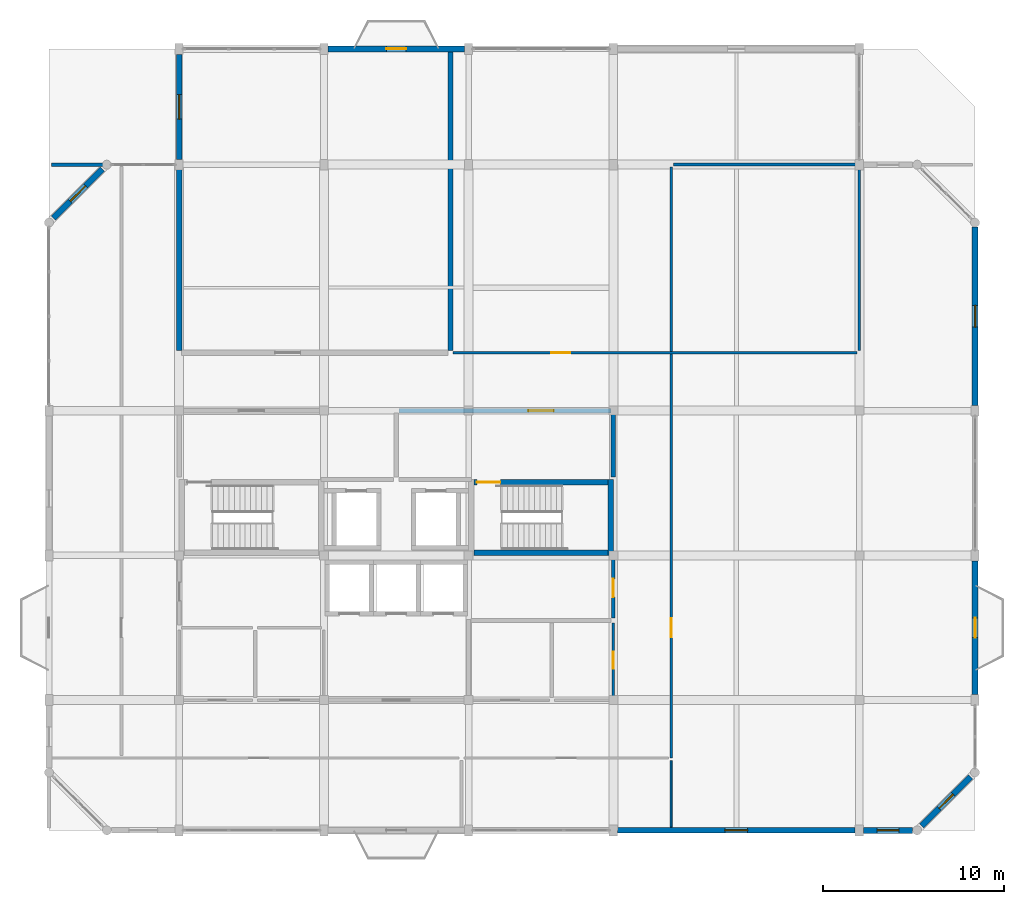
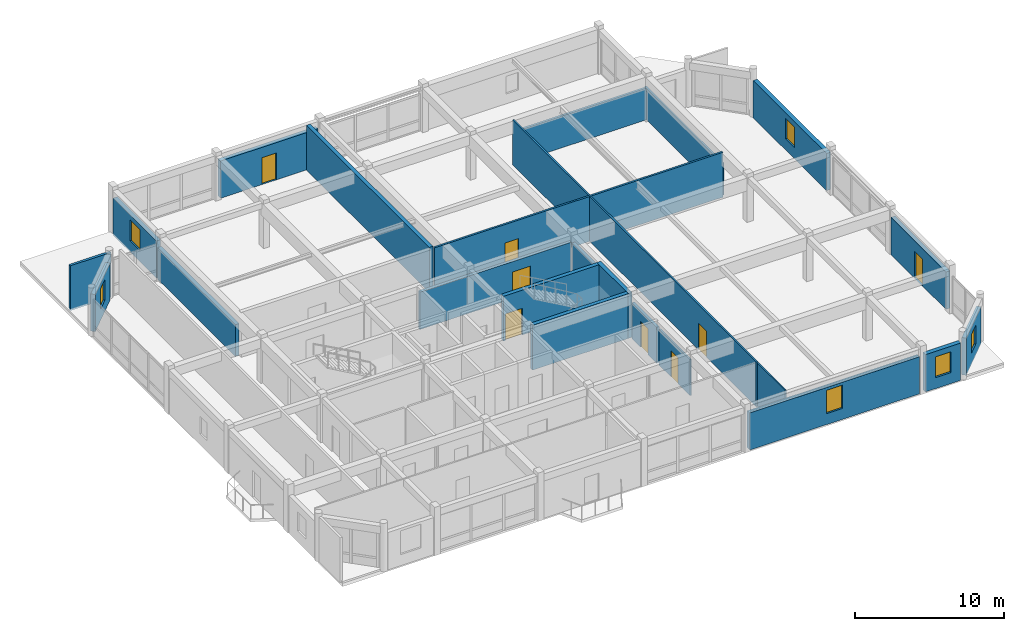
# One storey, part 10 of 12: 23 walls, 8 doors, 6 windows, 14 openings.
"""IFC4 building model written with IfcOpenShell, lengths in metres."""

from ifc_helpers import new_model, si_unit, direction, frame, frame_2d, origin, place, context, subcontext, project, spatial, rectangle, extrude, material, layer, layer_set, type_object, element, fill, save


model = new_model("IFC4")

# Units and contexts
model_context = context("Model", 3, precision=1e-05, world=origin(), true_north=direction((0.0, 1.0)))
body_context = subcontext(model_context, "Body", "Model", "MODEL_VIEW")
ifc_project = project(units=[si_unit("LENGTHUNIT", "METRE"), si_unit("AREAUNIT", "SQUARE_METRE"), si_unit("VOLUMEUNIT", "CUBIC_METRE"), si_unit("PLANEANGLEUNIT", "RADIAN"), si_unit("MASSUNIT", "GRAM", prefix="KILO")], contexts=[model_context])

# Site, building, storey
site_placement = place(None, origin())
site = spatial("IfcSite", under=ifc_project, at=site_placement, CompositionType="ELEMENT")
building_placement = place(site_placement, origin())
building = spatial("IfcBuilding", under=site, at=building_placement, Name="Vellmiral Cinema and Media Centre", CompositionType="ELEMENT")
storey_placement = place(building_placement, frame((0.0, 0.0, 62.64990234375)))
storey = spatial("IfcBuildingStorey", under=building, at=storey_placement, Name="L15", CompositionType="ELEMENT", Elevation=62.64990234375)

# Walls
ifc_material_1 = material(Name="Calcium-Silicate Masonry Blockwork", Category="masonry")
ifc_layer_1 = layer(ifc_material_1, 0.10009765625, Name="Calcium-Silicate Masonry Blockwork", Category="masonry")
ifc_material_2 = material(Name="Mineral Wool Acoustic Insulation", Category="insulation")
ifc_layer_2 = layer(ifc_material_2, 0.090087890625, Name="Mineral Wool Acoustic Insulation", Category="insulation")
ifc_layer_3 = layer(ifc_material_1, 0.10009765625, Name="Calcium-Silicate Masonry Blockwork", Category="masonry")
ifc_layer_set_1 = layer_set([ifc_layer_1, ifc_layer_2, ifc_layer_3], Name="Calcium-Silicate Masonry Blockwork")
wall_type_1 = type_object("IfcWallType", Name="WL-AC-290", PredefinedType="SOLIDWALL", material=ifc_layer_set_1)
wall_1_placement = place(storey_placement, frame((124.0, 98.5400390625, 0.0), z_axis=(0.0, 0.0, 1.0), x_axis=(0.0, 1.0, 0.0)))
element("IfcWall", 1, at=wall_1_placement, inside=storey, type_object=wall_type_1, Name="Executive Documentary Screening Room Wall W", PredefinedType="SOLIDWALL", context=body_context, shape_type="SweptSolid", body=[
    extrude(rectangle(XDim=10.419921875, YDim=0.2900390625, at=frame_2d((5.2099609375, 0.0))), origin(), (0.0, 0.0, 1.0), 2.59521484375),
])
wall_2_placement = place(storey_placement, frame((139.0, 98.5400390625, 0.0), z_axis=(0.0, 0.0, 1.0), x_axis=(0.0, 1.0, 0.0)))
element("IfcWall", 2, at=wall_2_placement, inside=storey, type_object=wall_type_1, Name="Executive Documentary Screening Room Wall E", PredefinedType="SOLIDWALL", context=body_context, shape_type="SweptSolid", body=[
    extrude(rectangle(XDim=16.48486328125, YDim=0.2900390625, at=frame_2d((8.242431640625, 0.0))), origin(), (0.0, 0.0, 1.0), 3.670166015625),
])

# Wall, opening, door
ifc_material_3 = material(Name="Concrete C40/50", Category="concrete")
ifc_layer_4 = layer(ifc_material_3, 0.2099609375, Name="Concrete C40/50")
ifc_layer_set_2 = layer_set([ifc_layer_4], Name="Concrete C40/50")
wall_type_2 = type_object("IfcWallType", Name="WL-COMP-210", PredefinedType="SOLIDWALL", material=ifc_layer_set_2)
wall_3_placement = place(storey_placement, frame((148.0, 83.739990234375, 0.0), z_axis=(0.0, 0.0, 1.0), x_axis=(0.0, 1.0, 0.0)))
wall_3 = element("IfcWall", 3, at=wall_3_placement, inside=storey, type_object=wall_type_2, Name="Mechanical Riser and Duct Room Wall E", PredefinedType="SOLIDWALL", context=body_context, shape_type="SweptSolid", body=[
    extrude(rectangle(XDim=3.320068359375, YDim=0.2099609375, at=frame_2d((1.66015625, 0.0))), origin(), (0.0, 0.0, 1.0), 2.945068359375),
])
opening_1_placement = place(wall_3_placement, frame((1.159912109375, 0.0, 0.0)))
opening_1 = element("IfcOpeningElement", 4, at=opening_1_placement, cuts=wall_3, Name="Opening D-FD30B", PredefinedType="OPENING", context=body_context, shape_type="SweptSolid", body=[
    extrude(rectangle(XDim=1.0, YDim=2.14990234375, at=frame_2d((0.5, 1.074951171875))), frame((0.0, 0.116943359375, 0.0), z_axis=(0.0, -1.0, 0.0), x_axis=(1.0, 0.0, 0.0)), (0.0, 0.0, 1.0), 0.23388671875),
])
ifc_material_4 = material(Name="Steel Riser Fire Door", Category="steel")
door_type_1 = type_object("IfcDoorType", Name="DR-FD30-1000x2150", OperationType="NOTDEFINED", PredefinedType="DOOR", material=ifc_material_4)
door_1_placement = place(opening_1_placement, origin())
door_1 = element("IfcDoor", 5, at=door_1_placement, inside=storey, type_object=door_type_1, Name="Mechanical Riser and Duct Room Door", OperationType="SINGLE_SWING_LEFT", OverallHeight=2.14990234375, OverallWidth=1.0, PredefinedType="DOOR", context=body_context, shape_type="SweptSolid", body=[
    extrude(rectangle(XDim=1.0, YDim=2.14990234375, at=frame_2d((0.5, 1.074951171875))), frame((0.0, 0.02490234375, 0.0), z_axis=(0.0, -1.0, 0.0), x_axis=(1.0, 0.0, 0.0)), (0.0, 0.0, 1.0), 0.050048828125),
])
fill(opening_1, door_1)

# Walls
ifc_material_5 = material(Name="Concrete C40/50", Category="concrete")
ifc_layer_5 = layer(ifc_material_5, 0.300048828125, Name="Concrete C40/50")
ifc_layer_set_3 = layer_set([ifc_layer_5], Name="Concrete C40/50")
wall_type_3 = type_object("IfcWallType", Name="WL-CORE-300", PredefinedType="SHEAR", material=ifc_layer_set_3)
wall_4_placement = place(storey_placement, frame((147.85009765625, 87.199951171875, 0.0), z_axis=(0.0, 0.0, 1.0), x_axis=(0.0, 1.0, 0.0)))
element("IfcWall", 6, at=wall_4_placement, inside=storey, type_object=wall_type_3, Name="Stair Core Wall ST-T2 L15-E", PredefinedType="SHEAR", context=body_context, shape_type="SweptSolid", body=[
    extrude(rectangle(XDim=4.199951171875, YDim=0.300048828125, at=frame_2d((2.10009765625, 0.0))), origin(), (0.0, 0.0, 1.0), 3.670166015625),
])
wall_5_placement = place(storey_placement, frame((140.300048828125, 87.35009765625, 0.0), z_axis=(0.0, 0.0, 1.0), x_axis=(1.0, 0.0, 0.0)))
element("IfcWall", 7, at=wall_5_placement, inside=storey, type_object=wall_type_3, Name="Stair Core Wall ST-T2 L15-S", PredefinedType="SHEAR", context=body_context, shape_type="SweptSolid", body=[
    extrude(rectangle(XDim=7.39990234375, YDim=0.300048828125, at=frame_2d((3.699951171875, 0.0))), origin(), (0.0, 0.0, 1.0), 3.670166015625),
])

# Wall, opening, door
wall_6_placement = place(storey_placement, frame((140.300048828125, 91.25, 0.0), z_axis=(0.0, 0.0, 1.0), x_axis=(1.0, 0.0, 0.0)))
wall_6 = element("IfcWall", 8, at=wall_6_placement, inside=storey, type_object=wall_type_3, Name="Stair Core Wall ST-T2 L15-N", PredefinedType="SHEAR", context=body_context, shape_type="SweptSolid", body=[
    extrude(rectangle(XDim=7.39990234375, YDim=0.300048828125, at=frame_2d((3.699951171875, 0.0))), origin(), (0.0, 0.0, 1.0), 3.670166015625),
])
opening_2_placement = place(wall_6_placement, frame((0.159912109375, 0.0, 0.0)))
opening_2 = element("IfcOpeningElement", 9, at=opening_2_placement, cuts=wall_6, Name="Opening D-FD30A", PredefinedType="OPENING", context=body_context, shape_type="SweptSolid", body=[
    extrude(rectangle(XDim=1.300048828125, YDim=2.179931640625, at=frame_2d((0.64990234375, 1.08984375))), frame((0.0, 0.162109375, 0.0), z_axis=(0.0, -1.0, 0.0), x_axis=(1.0, 0.0, 0.0)), (0.0, 0.0, 1.0), 0.323974609375),
])
ifc_material_6 = material(Name="Steel Stair Fire Door", Category="steel")
door_type_2 = type_object("IfcDoorType", Name="DR-FD30-1300x2180", OperationType="NOTDEFINED", PredefinedType="DOOR", material=ifc_material_6)
door_2_placement = place(opening_2_placement, frame((1.300048828125, 0.0, 0.0), z_axis=(0.0, 0.0, 1.0), x_axis=(-1.0, 0.0, 0.0)))
door_2 = element("IfcDoor", 10, at=door_2_placement, inside=storey, type_object=door_type_2, Name="Protected Stair Door ST-T2 L15", OperationType="SINGLE_SWING_RIGHT", OverallHeight=2.179931640625, OverallWidth=1.300048828125, PredefinedType="DOOR", context=body_context, shape_type="SweptSolid", body=[
    extrude(rectangle(XDim=1.300048828125, YDim=2.179931640625, at=frame_2d((0.64990234375, 1.08984375))), frame((0.0, 0.02490234375, 0.0), z_axis=(0.0, -1.0, 0.0), x_axis=(1.0, 0.0, 0.0)), (0.0, 0.0, 1.0), 0.050048828125),
])
fill(opening_2, door_2)

# Wall, opening, window
ifc_material_7 = material(Name="Polychrome Glazed Ceramic Cladding", Category="masonry")
ifc_layer_6 = layer(ifc_material_7, 0.320068359375, Name="Polychrome Glazed Ceramic Cladding")
ifc_layer_set_4 = layer_set([ifc_layer_6], Name="Polychrome Glazed Ceramic Cladding")
wall_type_4 = type_object("IfcWallType", Name="WL-EXT-BRICK-320", PredefinedType="SOLIDWALL", material=ifc_layer_set_4)
wall_7_placement = place(storey_placement, frame((148.22509765625, 72.0, 0.0), z_axis=(0.0, 0.0, 1.0), x_axis=(1.0, 0.0, 0.0)))
wall_7 = element("IfcWall", 11, at=wall_7_placement, inside=storey, type_object=wall_type_4, Name="Exterior Facade Wall L15-005", PredefinedType="SOLIDWALL", context=body_context, shape_type="SweptSolid", body=[
    extrude(rectangle(XDim=13.14990234375, YDim=0.320068359375, at=frame_2d((6.574951171875, 0.0))), origin(), (0.0, 0.0, 1.0), 3.03515625),
])
opening_3_placement = place(wall_7_placement, frame((5.949951171875, 0.0, 0.89990234375)))
opening_3 = element("IfcOpeningElement", 12, at=opening_3_placement, cuts=wall_7, Name="Opening WN-09", PredefinedType="OPENING", context=body_context, shape_type="SweptSolid", body=[
    extrude(rectangle(XDim=1.25, YDim=1.89990234375, at=frame_2d((0.625, 0.949951171875))), frame((0.0, 0.171875, 0.0), z_axis=(0.0, -1.0, 0.0), x_axis=(1.0, 0.0, 0.0)), (0.0, 0.0, 1.0), 0.343994140625),
])
ifc_material_8 = material(Name="Thermally Broken Aluminium Triple Glazing", Category="aluminium")
window_type_1 = type_object("IfcWindowType", Name="WN-1250x1900", PartitioningType="SINGLE_PANEL", PredefinedType="WINDOW", material=ifc_material_8)
window_1_placement = place(opening_3_placement, origin())
window_1 = element("IfcWindow", 13, at=window_1_placement, inside=storey, type_object=window_type_1, Name="Window L15-005", OverallHeight=1.89990234375, OverallWidth=1.25, PartitioningType="SINGLE_PANEL", PredefinedType="WINDOW", context=body_context, shape_type="SweptSolid", body=[
    extrude(rectangle(XDim=1.25, YDim=1.89990234375, at=frame_2d((0.625, 0.949951171875))), frame((0.0, 0.030029296875, 0.0), z_axis=(0.0, -1.0, 0.0), x_axis=(1.0, 0.0, 0.0)), (0.0, 0.0, 1.0), 0.06005859375),
])
fill(opening_3, window_1)

wall_8_placement = place(storey_placement, frame((165.050048828125, 72.25, 0.0), z_axis=(0.0, 0.0, 1.0), x_axis=(0.707106781187, 0.707106781187, 0.0)))
wall_8 = element("IfcWall", 14, at=wall_8_placement, inside=storey, type_object=wall_type_4, Name="Exterior Facade Wall L15-007", PredefinedType="SOLIDWALL", context=body_context, shape_type="SweptSolid", body=[
    extrude(rectangle(XDim=3.818359375, YDim=0.320068359375, at=frame_2d((1.9091796875, 0.0))), origin(), (0.0, 0.0, 1.0), 3.045166015625),
])
opening_4_placement = place(wall_8_placement, frame((1.359130859375, 0.0, 0.89990234375)))
opening_4 = element("IfcOpeningElement", 15, at=opening_4_placement, cuts=wall_8, Name="Opening WN-11", PredefinedType="OPENING", context=body_context, shape_type="SweptSolid", body=[
    extrude(rectangle(XDim=1.10009765625, YDim=1.550048828125, at=frame_2d((0.550048828125, 0.77490234375))), frame((0.0, 0.171875, 0.0), z_axis=(0.0, -1.0, 0.0), x_axis=(1.0, 0.0, 0.0)), (0.0, 0.0, 1.0), 0.343994140625),
])
ifc_material_9 = material(Name="Thermally Broken Aluminium Triple Glazing", Category="aluminium")
window_type_2 = type_object("IfcWindowType", Name="WN-1100x1550", PartitioningType="SINGLE_PANEL", PredefinedType="WINDOW", material=ifc_material_9)
window_2_placement = place(opening_4_placement, origin())
window_2 = element("IfcWindow", 16, at=window_2_placement, inside=storey, type_object=window_type_2, Name="Window L15-007", OverallHeight=1.550048828125, OverallWidth=1.10009765625, PartitioningType="SINGLE_PANEL", PredefinedType="WINDOW", context=body_context, shape_type="SweptSolid", body=[
    extrude(rectangle(XDim=1.10009765625, YDim=1.550048828125, at=frame_2d((0.550048828125, 0.77490234375))), frame((0.0, 0.030029296875, 0.0), z_axis=(0.0, -1.0, 0.0), x_axis=(1.0, 0.0, 0.0)), (0.0, 0.0, 1.0), 0.06005859375),
])
fill(opening_4, window_2)

# Wall, opening, door
wall_9_placement = place(storey_placement, frame((168.0, 79.5, 0.0), z_axis=(0.0, 0.0, 1.0), x_axis=(0.0, 1.0, 0.0)))
wall_9 = element("IfcWall", 17, at=wall_9_placement, inside=storey, type_object=wall_type_4, Name="Exterior Facade Wall L15-009", PredefinedType="SOLIDWALL", context=body_context, shape_type="SweptSolid", body=[
    extrude(rectangle(XDim=7.39990234375, YDim=0.320068359375, at=frame_2d((3.699951171875, 0.0))), origin(), (0.0, 0.0, 1.0), 3.050048828125),
])
opening_5_placement = place(wall_9_placement, frame((3.14990234375, 0.0, 0.0)))
opening_5 = element("IfcOpeningElement", 18, at=opening_5_placement, cuts=wall_9, Name="Opening DE-06", PredefinedType="OPENING", context=body_context, shape_type="SweptSolid", body=[
    extrude(rectangle(XDim=1.10009765625, YDim=2.199951171875, at=frame_2d((0.550048828125, 1.10009765625))), frame((0.0, 0.171875, 0.0), z_axis=(0.0, -1.0, 0.0), x_axis=(1.0, 0.0, 0.0)), (0.0, 0.0, 1.0), 0.343994140625),
])
ifc_material_10 = material(Name="Thermally Broken Glazed Aluminium and Bronze Door", Category="aluminium")
door_type_3 = type_object("IfcDoorType", Name="DR-MIRA-1100x2200", OperationType="NOTDEFINED", PredefinedType="DOOR", material=ifc_material_10)
door_3_placement = place(opening_5_placement, frame((1.10009765625, 0.0, 0.0), z_axis=(0.0, 0.0, 1.0), x_axis=(-1.0, 0.0, 0.0)))
door_3 = element("IfcDoor", 19, at=door_3_placement, inside=storey, type_object=door_type_3, Name="Mirador Balcony Door L15-E", OperationType="SINGLE_SWING_LEFT", OverallHeight=2.199951171875, OverallWidth=1.10009765625, PredefinedType="DOOR", context=body_context, shape_type="SweptSolid", body=[
    extrude(rectangle(XDim=1.10009765625, YDim=2.199951171875, at=frame_2d((0.550048828125, 1.10009765625))), frame((0.0, 0.02490234375, 0.0), z_axis=(0.0, -1.0, 0.0), x_axis=(1.0, 0.0, 0.0)), (0.0, 0.0, 1.0), 0.050048828125),
])
fill(opening_5, door_3)

# Wall, opening, window
wall_10_placement = place(storey_placement, frame((168.0, 95.5, 0.0), z_axis=(0.0, 0.0, 1.0), x_axis=(0.0, 1.0, 0.0)))
wall_10 = element("IfcWall", 20, at=wall_10_placement, inside=storey, type_object=wall_type_4, Name="Exterior Facade Wall L15-011", PredefinedType="SOLIDWALL", context=body_context, shape_type="SweptSolid", body=[
    extrude(rectangle(XDim=9.85009765625, YDim=0.320068359375, at=frame_2d((4.925048828125, 0.0))), origin(), (0.0, 0.0, 1.0), 3.050048828125),
])
opening_6_placement = place(wall_10_placement, frame((4.324951171875, 0.0, 0.89990234375)))
opening_6 = element("IfcOpeningElement", 21, at=opening_6_placement, cuts=wall_10, Name="Opening WN-10", PredefinedType="OPENING", context=body_context, shape_type="SweptSolid", body=[
    extrude(rectangle(XDim=1.199951171875, YDim=1.699951171875, at=frame_2d((0.60009765625, 0.85009765625))), frame((0.0, 0.171875, 0.0), z_axis=(0.0, -1.0, 0.0), x_axis=(1.0, 0.0, 0.0)), (0.0, 0.0, 1.0), 0.343994140625),
])
ifc_material_11 = material(Name="Thermally Broken Aluminium Triple Glazing", Category="aluminium")
window_type_3 = type_object("IfcWindowType", Name="WN-1200x1700", PartitioningType="SINGLE_PANEL", PredefinedType="WINDOW", material=ifc_material_11)
window_3_placement = place(opening_6_placement, origin())
window_3 = element("IfcWindow", 22, at=window_3_placement, inside=storey, type_object=window_type_3, Name="Window L15-011", OverallHeight=1.699951171875, OverallWidth=1.199951171875, PartitioningType="SINGLE_PANEL", PredefinedType="WINDOW", context=body_context, shape_type="SweptSolid", body=[
    extrude(rectangle(XDim=1.199951171875, YDim=1.699951171875, at=frame_2d((0.60009765625, 0.85009765625))), frame((0.0, 0.030029296875, 0.0), z_axis=(0.0, -1.0, 0.0), x_axis=(1.0, 0.0, 0.0)), (0.0, 0.0, 1.0), 0.06005859375),
])
fill(opening_6, window_3)

# Wall, opening, door
wall_11_placement = place(storey_placement, frame((139.77490234375, 115.199951171875, 0.0), z_axis=(0.0, 0.0, 1.0), x_axis=(-1.0, 0.0, 0.0)))
wall_11 = element("IfcWall", 23, at=wall_11_placement, inside=storey, type_object=wall_type_4, Name="Exterior Facade Wall L15-017", PredefinedType="SOLIDWALL", context=body_context, shape_type="SweptSolid", body=[
    extrude(rectangle(XDim=7.5498046875, YDim=0.320068359375, at=frame_2d((3.77490234375, 0.0))), origin(), (0.0, 0.0, 1.0), 3.050048828125),
])
opening_7_placement = place(wall_11_placement, frame((3.22509765625, 0.0, 0.0)))
opening_7 = element("IfcOpeningElement", 24, at=opening_7_placement, cuts=wall_11, Name="Opening DE-06", PredefinedType="OPENING", context=body_context, shape_type="SweptSolid", body=[
    extrude(rectangle(XDim=1.10009765625, YDim=2.199951171875, at=frame_2d((0.550048828125, 1.10009765625))), frame((0.0, 0.171875, 0.0), z_axis=(0.0, -1.0, 0.0), x_axis=(1.0, 0.0, 0.0)), (0.0, 0.0, 1.0), 0.343994140625),
])
door_4_placement = place(opening_7_placement, frame((1.10009765625, 0.0, 0.0), z_axis=(0.0, 0.0, 1.0), x_axis=(-1.0, 0.0, 0.0)))
door_4 = element("IfcDoor", 25, at=door_4_placement, inside=storey, type_object=door_type_3, Name="Mirador Balcony Door L15-N", OperationType="SINGLE_SWING_LEFT", OverallHeight=2.199951171875, OverallWidth=1.10009765625, PredefinedType="DOOR", context=body_context, shape_type="SweptSolid", body=[
    extrude(rectangle(XDim=1.10009765625, YDim=2.199951171875, at=frame_2d((0.550048828125, 1.10009765625))), frame((0.0, 0.02490234375, 0.0), z_axis=(0.0, -1.0, 0.0), x_axis=(1.0, 0.0, 0.0)), (0.0, 0.0, 1.0), 0.050048828125),
])
fill(opening_7, door_4)

# Wall, opening, window
wall_12_placement = place(storey_placement, frame((124.0, 114.89990234375, 0.0), z_axis=(0.0, 0.0, 1.0), x_axis=(0.0, -1.0, 0.0)))
wall_12 = element("IfcWall", 26, at=wall_12_placement, inside=storey, type_object=wall_type_4, Name="Exterior Facade Wall L15-019", PredefinedType="SOLIDWALL", context=body_context, shape_type="SweptSolid", body=[
    extrude(rectangle(XDim=5.7998046875, YDim=0.320068359375, at=frame_2d((2.89990234375, 0.0))), origin(), (0.0, 0.0, 1.0), 3.050048828125),
])
opening_8_placement = place(wall_12_placement, frame((2.22509765625, 0.0, 0.89990234375)))
opening_8 = element("IfcOpeningElement", 27, at=opening_8_placement, cuts=wall_12, Name="Opening WN-08", PredefinedType="OPENING", context=body_context, shape_type="SweptSolid", body=[
    extrude(rectangle(XDim=1.35009765625, YDim=1.75, at=frame_2d((0.675048828125, 0.875))), frame((0.0, 0.171875, 0.0), z_axis=(0.0, -1.0, 0.0), x_axis=(1.0, 0.0, 0.0)), (0.0, 0.0, 1.0), 0.343994140625),
])
ifc_material_12 = material(Name="Thermally Broken Aluminium Triple Glazing", Category="aluminium")
window_type_4 = type_object("IfcWindowType", Name="WN-1350x1750", PartitioningType="SINGLE_PANEL", PredefinedType="WINDOW", material=ifc_material_12)
window_4_placement = place(opening_8_placement, origin())
window_4 = element("IfcWindow", 28, at=window_4_placement, inside=storey, type_object=window_type_4, Name="Window L15-019", OverallHeight=1.75, OverallWidth=1.35009765625, PartitioningType="SINGLE_PANEL", PredefinedType="WINDOW", context=body_context, shape_type="SweptSolid", body=[
    extrude(rectangle(XDim=1.35009765625, YDim=1.75, at=frame_2d((0.675048828125, 0.875))), frame((0.0, 0.030029296875, 0.0), z_axis=(0.0, -1.0, 0.0), x_axis=(1.0, 0.0, 0.0)), (0.0, 0.0, 1.0), 0.06005859375),
])
fill(opening_8, window_4)

wall_13_placement = place(storey_placement, frame((119.75, 108.550048828125, 0.0), z_axis=(0.0, 0.0, 1.0), x_axis=(-0.707106781187, -0.707106781187, 0.0)))
wall_13 = element("IfcWall", 29, at=wall_13_placement, inside=storey, type_object=wall_type_4, Name="Exterior Facade Wall L15-021", PredefinedType="SOLIDWALL", context=body_context, shape_type="SweptSolid", body=[
    extrude(rectangle(XDim=3.818359375, YDim=0.320068359375, at=frame_2d((1.9091796875, 0.0))), origin(), (0.0, 0.0, 1.0), 3.045166015625),
])
opening_9_placement = place(wall_13_placement, frame((1.30908203125, 0.0, 0.89990234375)))
opening_9 = element("IfcOpeningElement", 30, at=opening_9_placement, cuts=wall_13, Name="Opening WN-10", PredefinedType="OPENING", context=body_context, shape_type="SweptSolid", body=[
    extrude(rectangle(XDim=1.199951171875, YDim=1.699951171875, at=frame_2d((0.60009765625, 0.85009765625))), frame((0.0, 0.171875, 0.0), z_axis=(0.0, -1.0, 0.0), x_axis=(1.0, 0.0, 0.0)), (0.0, 0.0, 1.0), 0.343994140625),
])
window_5_placement = place(opening_9_placement, origin())
window_5 = element("IfcWindow", 31, at=window_5_placement, inside=storey, type_object=window_type_3, Name="Window L15-021", OverallHeight=1.699951171875, OverallWidth=1.199951171875, PartitioningType="SINGLE_PANEL", PredefinedType="WINDOW", context=body_context, shape_type="SweptSolid", body=[
    extrude(rectangle(XDim=1.199951171875, YDim=1.699951171875, at=frame_2d((0.60009765625, 0.85009765625))), frame((0.0, 0.030029296875, 0.0), z_axis=(0.0, -1.0, 0.0), x_axis=(1.0, 0.0, 0.0)), (0.0, 0.0, 1.0), 0.06005859375),
])
fill(opening_9, window_5)

ifc_material_13 = material(Name="Vosges Red Sandstone Masonry", Category="masonry")
ifc_layer_7 = layer(ifc_material_13, 0.340087890625, Name="Vosges Red Sandstone Masonry")
ifc_layer_set_5 = layer_set([ifc_layer_7], Name="Vosges Red Sandstone Masonry")
wall_type_5 = type_object("IfcWallType", Name="WL-EXT-SAND-340", PredefinedType="SOLIDWALL", material=ifc_layer_set_5)
wall_14_placement = place(storey_placement, frame((161.824951171875, 72.0, 0.0), z_axis=(0.0, 0.0, 1.0), x_axis=(1.0, 0.0, 0.0)))
wall_14 = element("IfcWall", 32, at=wall_14_placement, inside=storey, type_object=wall_type_5, Name="Exterior Facade Wall L15-006", PredefinedType="SOLIDWALL", context=body_context, shape_type="SweptSolid", body=[
    extrude(rectangle(XDim=2.72509765625, YDim=0.340087890625, at=frame_2d((1.362548828125, 0.0))), origin(), (0.0, 0.0, 1.0), 3.050048828125),
])
opening_10_placement = place(wall_14_placement, frame((0.762451171875, 0.0, 0.89990234375)))
opening_10 = element("IfcOpeningElement", 33, at=opening_10_placement, cuts=wall_14, Name="Opening WN-10", PredefinedType="OPENING", context=body_context, shape_type="SweptSolid", body=[
    extrude(rectangle(XDim=1.199951171875, YDim=1.699951171875, at=frame_2d((0.60009765625, 0.85009765625))), frame((0.0, 0.18212890625, 0.0), z_axis=(0.0, -1.0, 0.0), x_axis=(1.0, 0.0, 0.0)), (0.0, 0.0, 1.0), 0.364013671875),
])
window_6_placement = place(opening_10_placement, origin())
window_6 = element("IfcWindow", 34, at=window_6_placement, inside=storey, type_object=window_type_3, Name="Window L15-006", OverallHeight=1.699951171875, OverallWidth=1.199951171875, PartitioningType="SINGLE_PANEL", PredefinedType="WINDOW", context=body_context, shape_type="SweptSolid", body=[
    extrude(rectangle(XDim=1.199951171875, YDim=1.699951171875, at=frame_2d((0.60009765625, 0.85009765625))), frame((0.0, 0.030029296875, 0.0), z_axis=(0.0, -1.0, 0.0), x_axis=(1.0, 0.0, 0.0)), (0.0, 0.0, 1.0), 0.06005859375),
])
fill(opening_10, window_6)

# Wall, opening, door
ifc_material_14 = material(Name="Concrete C40/50", Category="concrete")
ifc_layer_8 = layer(ifc_material_14, 0.22998046875, Name="Concrete C40/50")
ifc_layer_set_6 = layer_set([ifc_layer_8], Name="Concrete C40/50")
wall_type_6 = type_object("IfcWallType", Name="WL-FFL-230", PredefinedType="SOLIDWALL", material=ifc_layer_set_6)
wall_15_placement = place(storey_placement, frame((136.139892578125, 95.199951171875, 0.0), z_axis=(0.0, 0.0, 1.0), x_axis=(1.0, 0.0, 0.0)))
wall_15 = element("IfcWall", 35, at=wall_15_placement, inside=storey, type_object=wall_type_6, Name="Firefighting Lobby East Wall N", PredefinedType="SOLIDWALL", context=body_context, shape_type="SweptSolid", body=[
    extrude(rectangle(XDim=11.72021484375, YDim=0.22998046875, at=frame_2d((5.860107421875, 0.0))), origin(), (0.0, 0.0, 1.0), 3.045166015625),
])
opening_11_placement = place(wall_15_placement, frame((7.159912109375, 0.0, 0.0)))
opening_11 = element("IfcOpeningElement", 36, at=opening_11_placement, cuts=wall_15, Name="Opening D-FD60B", PredefinedType="OPENING", context=body_context, shape_type="SweptSolid", body=[
    extrude(rectangle(XDim=1.39990234375, YDim=2.199951171875, at=frame_2d((0.699951171875, 1.10009765625))), frame((0.0, 0.126953125, 0.0), z_axis=(0.0, -1.0, 0.0), x_axis=(1.0, 0.0, 0.0)), (0.0, 0.0, 1.0), 0.25390625),
])
ifc_material_15 = material(Name="Steel Fire Door", Category="steel")
door_type_4 = type_object("IfcDoorType", Name="DR-FD60-1400x2200", OperationType="NOTDEFINED", PredefinedType="DOOR", material=ifc_material_15)
door_5_placement = place(opening_11_placement, frame((1.39990234375, 0.0, 0.0), z_axis=(0.0, 0.0, 1.0), x_axis=(-1.0, 0.0, 0.0)))
door_5 = element("IfcDoor", 37, at=door_5_placement, inside=storey, type_object=door_type_4, Name="Firefighting Lobby East Door", OperationType="SINGLE_SWING_LEFT", OverallHeight=2.199951171875, OverallWidth=1.39990234375, PredefinedType="DOOR", context=body_context, shape_type="SweptSolid", body=[
    extrude(rectangle(XDim=1.39990234375, YDim=2.199951171875, at=frame_2d((0.699951171875, 1.10009765625))), frame((0.0, 0.02490234375, 0.0), z_axis=(0.0, -1.0, 0.0), x_axis=(1.0, 0.0, 0.0)), (0.0, 0.0, 1.0), 0.050048828125),
])
fill(opening_11, door_5)

# Walls
wall_16_placement = place(storey_placement, frame((148.0, 91.5400390625, 0.0), z_axis=(0.0, 0.0, 1.0), x_axis=(0.0, 1.0, 0.0)))
element("IfcWall", 38, at=wall_16_placement, inside=storey, type_object=wall_type_6, Name="Firefighting Lobby East Wall E", PredefinedType="SOLIDWALL", context=body_context, shape_type="SweptSolid", body=[
    extrude(rectangle(XDim=3.52001953125, YDim=0.22998046875, at=frame_2d((1.760009765625, 0.0))), origin(), (0.0, 0.0, 1.0), 2.9951171875),
])
ifc_material_16 = material(Name="Gypsum Plasterboard")
ifc_layer_9 = layer(ifc_material_16, 0.02490234375, Name="Gypsum Plasterboard", Category="gypsum")
ifc_material_17 = material(Name="Mineral Wool Acoustic Insulation", Category="insulation")
ifc_layer_10 = layer(ifc_material_17, 0.06005859375, Name="Mineral Wool Acoustic Insulation", Category="insulation")
ifc_layer_11 = layer(ifc_material_16, 0.02490234375, Name="Gypsum Plasterboard", Category="gypsum")
ifc_layer_set_7 = layer_set([ifc_layer_9, ifc_layer_10, ifc_layer_11], Name="Gypsum Plasterboard")
wall_type_7 = type_object("IfcWallType", Name="WL-PART-110", PredefinedType="PARTITIONING", material=ifc_layer_set_7)
wall_17_placement = place(storey_placement, frame((151.199951171875, 72.175048828125, 0.0), z_axis=(0.0, 0.0, 1.0), x_axis=(0.0, 1.0, 0.0)))
element("IfcWall", 39, at=wall_17_placement, inside=storey, type_object=wall_type_7, Name="South Executive Counsel Suite Wall E", PredefinedType="PARTITIONING", context=body_context, shape_type="SweptSolid", body=[
    extrude(rectangle(XDim=3.68505859375, YDim=0.110107421875, at=frame_2d((1.842529296875, 0.0))), origin(), (0.0, 0.0, 1.0), 3.670166015625),
])

# Wall, opening, door
ifc_material_18 = material(Name="Gypsum Plasterboard")
ifc_layer_12 = layer(ifc_material_18, 0.02490234375, Name="Gypsum Plasterboard", Category="gypsum")
ifc_material_19 = material(Name="Mineral Wool Acoustic Insulation", Category="insulation")
ifc_layer_13 = layer(ifc_material_19, 0.080078125, Name="Mineral Wool Acoustic Insulation", Category="insulation")
ifc_layer_14 = layer(ifc_material_18, 0.02490234375, Name="Gypsum Plasterboard", Category="gypsum")
ifc_layer_set_8 = layer_set([ifc_layer_12, ifc_layer_13, ifc_layer_14], Name="Gypsum Plasterboard")
wall_type_8 = type_object("IfcWallType", Name="WL-PART-130", PredefinedType="PARTITIONING", material=ifc_layer_set_8)
wall_18_placement = place(storey_placement, frame((148.0, 79.340087890625, 0.0), z_axis=(0.0, 0.0, 1.0), x_axis=(0.0, 1.0, 0.0)))
wall_18 = element("IfcWall", 40, at=wall_18_placement, inside=storey, type_object=wall_type_8, Name="Equipment Store Room Wall E", PredefinedType="PARTITIONING", context=body_context, shape_type="SweptSolid", body=[
    extrude(rectangle(XDim=4.119873046875, YDim=0.1298828125, at=frame_2d((2.06005859375, 0.0))), origin(), (0.0, 0.0, 1.0), 2.945068359375),
])
opening_12_placement = place(wall_18_placement, frame((1.5849609375, 0.0, 0.0)))
opening_12 = element("IfcOpeningElement", 41, at=opening_12_placement, cuts=wall_18, Name="Opening D-I09", PredefinedType="OPENING", context=body_context, shape_type="SweptSolid", body=[
    extrude(rectangle(XDim=0.949951171875, YDim=2.14990234375, at=frame_2d((0.47509765625, 1.074951171875))), frame((0.0, 0.076904296875, 0.0), z_axis=(0.0, -1.0, 0.0), x_axis=(1.0, 0.0, 0.0)), (0.0, 0.0, 1.0), 0.15380859375),
])
ifc_material_20 = material(Name="Moisture-Resistant Timber Door", Category="wood")
door_type_5 = type_object("IfcDoorType", Name="DR-INT-950x2150", OperationType="NOTDEFINED", PredefinedType="DOOR", material=ifc_material_20)
door_6_placement = place(opening_12_placement, origin())
door_6 = element("IfcDoor", 42, at=door_6_placement, inside=storey, type_object=door_type_5, Name="Equipment Store Room Door", OperationType="SINGLE_SWING_LEFT", OverallHeight=2.14990234375, OverallWidth=0.949951171875, PredefinedType="DOOR", context=body_context, shape_type="SweptSolid", body=[
    extrude(rectangle(XDim=0.949951171875, YDim=2.14990234375, at=frame_2d((0.47509765625, 1.074951171875))), frame((0.0, 0.02490234375, 0.0), z_axis=(0.0, -1.0, 0.0), x_axis=(1.0, 0.0, 0.0)), (0.0, 0.0, 1.0), 0.050048828125),
])
fill(opening_12, door_6)

wall_19_placement = place(storey_placement, frame((151.199951171875, 76.0, 0.0), z_axis=(0.0, 0.0, 1.0), x_axis=(0.0, 1.0, 0.0)))
wall_19 = element("IfcWall", 43, at=wall_19_placement, inside=storey, type_object=wall_type_8, Name="Grand Rhine Executive Boardroom Wall W", PredefinedType="PARTITIONING", context=body_context, shape_type="SweptSolid", body=[
    extrude(rectangle(XDim=32.659912109375, YDim=0.1298828125, at=frame_2d((16.330078125, 0.0))), origin(), (0.0, 0.0, 1.0), 3.670166015625),
])
opening_13_placement = place(wall_19_placement, frame((6.675048828125, 0.0, 0.0)))
opening_13 = element("IfcOpeningElement", 44, at=opening_13_placement, cuts=wall_19, Name="Opening D-I07", PredefinedType="OPENING", context=body_context, shape_type="SweptSolid", body=[
    extrude(rectangle(XDim=1.050048828125, YDim=2.14990234375, at=frame_2d((0.52490234375, 1.074951171875))), frame((0.0, 0.076904296875, 0.0), z_axis=(0.0, -1.0, 0.0), x_axis=(1.0, 0.0, 0.0)), (0.0, 0.0, 1.0), 0.15380859375),
])
ifc_material_21 = material(Name="Laminated Timber Door", Category="wood")
door_type_6 = type_object("IfcDoorType", Name="DR-INT-1050x2150", OperationType="NOTDEFINED", PredefinedType="DOOR", material=ifc_material_21)
door_7_placement = place(opening_13_placement, frame((1.050048828125, 0.0, 0.0), z_axis=(0.0, 0.0, 1.0), x_axis=(-1.0, 0.0, 0.0)))
door_7 = element("IfcDoor", 45, at=door_7_placement, inside=storey, type_object=door_type_6, Name="Grand Rhine Executive Boardroom Door", OperationType="SINGLE_SWING_RIGHT", OverallHeight=2.14990234375, OverallWidth=1.050048828125, PredefinedType="DOOR", context=body_context, shape_type="SweptSolid", body=[
    extrude(rectangle(XDim=1.050048828125, YDim=2.14990234375, at=frame_2d((0.52490234375, 1.074951171875))), frame((0.0, 0.02490234375, 0.0), z_axis=(0.0, -1.0, 0.0), x_axis=(1.0, 0.0, 0.0)), (0.0, 0.0, 1.0), 0.050048828125),
])
fill(opening_13, door_7)

# Wall
wall_20_placement = place(storey_placement, frame((161.60009765625, 98.5400390625, 0.0), z_axis=(0.0, 0.0, 1.0), x_axis=(0.0, 1.0, 0.0)))
element("IfcWall", 46, at=wall_20_placement, inside=storey, type_object=wall_type_8, Name="Executive Media Editorial Suite Wall E", PredefinedType="PARTITIONING", context=body_context, shape_type="SweptSolid", body=[
    extrude(rectangle(XDim=10.419921875, YDim=0.1298828125, at=frame_2d((5.2099609375, 0.0))), origin(), (0.0, 0.0, 1.0), 2.59521484375),
])

# Wall, opening, door
ifc_material_22 = material(Name="Gypsum Plasterboard")
ifc_layer_15 = layer(ifc_material_22, 0.02490234375, Name="Gypsum Plasterboard", Category="gypsum")
ifc_material_23 = material(Name="Mineral Wool Acoustic Insulation", Category="insulation")
ifc_layer_16 = layer(ifc_material_23, 0.10009765625, Name="Mineral Wool Acoustic Insulation", Category="insulation")
ifc_layer_17 = layer(ifc_material_22, 0.02490234375, Name="Gypsum Plasterboard", Category="gypsum")
ifc_layer_set_9 = layer_set([ifc_layer_15, ifc_layer_16, ifc_layer_17], Name="Gypsum Plasterboard")
wall_type_9 = type_object("IfcWallType", Name="WL-PART-150", PredefinedType="PARTITIONING", material=ifc_layer_set_9)
wall_21_placement = place(storey_placement, frame((139.139892578125, 98.39990234375, 0.0), z_axis=(0.0, 0.0, 1.0), x_axis=(1.0, 0.0, 0.0)))
wall_21 = element("IfcWall", 47, at=wall_21_placement, inside=storey, type_object=wall_type_9, Name="Executive Media Editorial Suite Wall S", PredefinedType="PARTITIONING", context=body_context, shape_type="SweptSolid", body=[
    extrude(rectangle(XDim=22.320068359375, YDim=0.14990234375, at=frame_2d((11.16015625, 0.0))), origin(), (0.0, 0.0, 1.0), 3.670166015625),
])
opening_14_placement = place(wall_21_placement, frame((5.43505859375, 0.0, 0.0)))
opening_14 = element("IfcOpeningElement", 48, at=opening_14_placement, cuts=wall_21, Name="Opening D-I07", PredefinedType="OPENING", context=body_context, shape_type="SweptSolid", body=[
    extrude(rectangle(XDim=1.050048828125, YDim=2.14990234375, at=frame_2d((0.52490234375, 1.074951171875))), frame((0.0, 0.0869140625, 0.0), z_axis=(0.0, -1.0, 0.0), x_axis=(1.0, 0.0, 0.0)), (0.0, 0.0, 1.0), 0.173828125),
])
door_8_placement = place(opening_14_placement, origin())
door_8 = element("IfcDoor", 49, at=door_8_placement, inside=storey, type_object=door_type_6, Name="Executive Media Editorial Suite Door", OperationType="SINGLE_SWING_LEFT", OverallHeight=2.14990234375, OverallWidth=1.050048828125, PredefinedType="DOOR", context=body_context, shape_type="SweptSolid", body=[
    extrude(rectangle(XDim=1.050048828125, YDim=2.14990234375, at=frame_2d((0.52490234375, 1.074951171875))), frame((0.0, 0.02490234375, 0.0), z_axis=(0.0, -1.0, 0.0), x_axis=(1.0, 0.0, 0.0)), (0.0, 0.0, 1.0), 0.050048828125),
])
fill(opening_14, door_8)

# Walls
ifc_material_24 = material(Name="Gypsum Plasterboard")
ifc_layer_18 = layer(ifc_material_24, 0.02490234375, Name="Gypsum Plasterboard", Category="gypsum")
ifc_material_25 = material(Name="Mineral Wool Acoustic Insulation", Category="insulation")
ifc_layer_19 = layer(ifc_material_25, 0.1201171875, Name="Mineral Wool Acoustic Insulation", Category="insulation")
ifc_layer_20 = layer(ifc_material_24, 0.02490234375, Name="Gypsum Plasterboard", Category="gypsum")
ifc_layer_set_10 = layer_set([ifc_layer_18, ifc_layer_19, ifc_layer_20], Name="Gypsum Plasterboard")
wall_type_10 = type_object("IfcWallType", Name="WL-PART-170", PredefinedType="PARTITIONING", material=ifc_layer_set_10)
wall_22_placement = place(storey_placement, frame((151.340087890625, 108.800048828125, 0.0), z_axis=(0.0, 0.0, 1.0), x_axis=(1.0, 0.0, 0.0)))
element("IfcWall", 50, at=wall_22_placement, inside=storey, type_object=wall_type_10, Name="Grand Rhine Executive Boardroom Wall N", PredefinedType="PARTITIONING", context=body_context, shape_type="SweptSolid", body=[
    extrude(rectangle(XDim=10.344970703125, YDim=0.169921875, at=frame_2d((5.17236328125, 0.0))), origin(), (0.0, 0.0, 1.0), 2.59521484375),
])
ifc_material_26 = material(Name="Gypsum Plasterboard")
ifc_layer_21 = layer(ifc_material_26, 0.02490234375, Name="Gypsum Plasterboard", Category="gypsum")
ifc_material_27 = material(Name="Mineral Wool Acoustic Insulation", Category="insulation")
ifc_layer_22 = layer(ifc_material_27, 0.139892578125, Name="Mineral Wool Acoustic Insulation", Category="insulation")
ifc_layer_23 = layer(ifc_material_26, 0.02490234375, Name="Gypsum Plasterboard", Category="gypsum")
ifc_layer_set_11 = layer_set([ifc_layer_21, ifc_layer_22, ifc_layer_23], Name="Gypsum Plasterboard")
wall_type_11 = type_object("IfcWallType", Name="WL-PART-190", PredefinedType="PARTITIONING", material=ifc_layer_set_11)
wall_23_placement = place(storey_placement, frame((116.93994140625, 108.800048828125, 0.0), z_axis=(0.0, 0.0, 1.0), x_axis=(1.0, 0.0, 0.0)))
element("IfcWall", 51, at=wall_23_placement, inside=storey, type_object=wall_type_11, Name="West Executive Mirador Office Wall N", PredefinedType="PARTITIONING", context=body_context, shape_type="SweptSolid", body=[
    extrude(rectangle(XDim=3.170166015625, YDim=0.18994140625, at=frame_2d((1.5849609375, 0.0))), origin(), (0.0, 0.0, 1.0), 3.670166015625),
])

save(model, "model.ifc")
